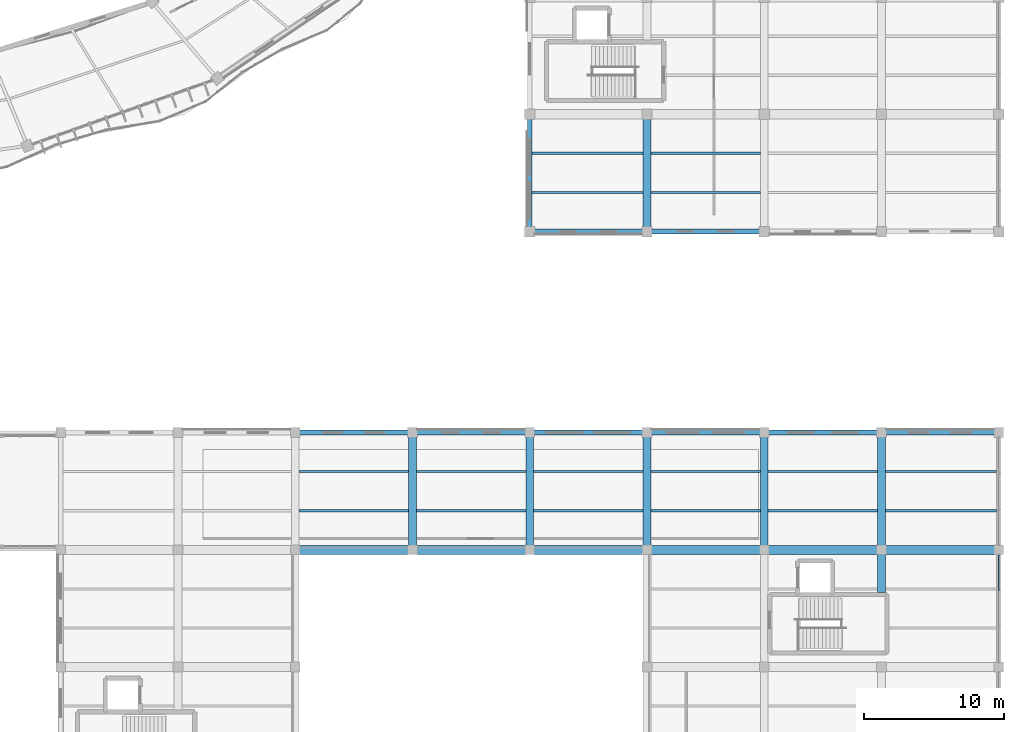
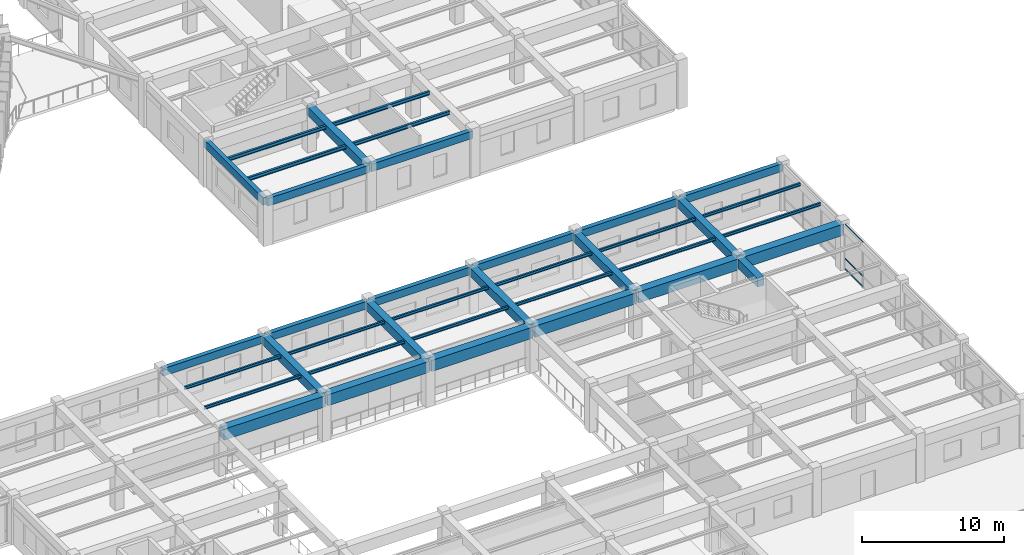
# One storey, part 90 of 152: 38 beams, 3 members, 1 element without a shape of its own.
"""IFC4 building model written with IfcOpenShell, lengths in metres."""

from ifc_helpers import new_model, si_unit, direction, frame, origin, origin_2d, place, context, subcontext, project, spatial, rectangle, hollow_rectangle, i_section, extrude, material, material_profile, profile_set, type_object, element, aggregate, save


model = new_model("IFC4")

# Units and contexts
model_context = context("Model", 3, precision=1e-05, world=origin(), true_north=direction((0.0, 1.0)))
body_context = subcontext(model_context, "Body", "Model", "MODEL_VIEW")
ifc_project = project(units=[si_unit("LENGTHUNIT", "METRE"), si_unit("AREAUNIT", "SQUARE_METRE"), si_unit("VOLUMEUNIT", "CUBIC_METRE"), si_unit("PLANEANGLEUNIT", "RADIAN"), si_unit("MASSUNIT", "GRAM", prefix="KILO"), si_unit("THERMODYNAMICTEMPERATUREUNIT", "KELVIN"), si_unit("POWERUNIT", "WATT")], contexts=[model_context])

# Site, building, storey
site_placement = place(None, origin())
site = spatial("IfcSite", under=ifc_project, at=site_placement, CompositionType="ELEMENT")
building_placement = place(site_placement, origin())
building = spatial("IfcBuilding", under=site, at=building_placement, Name="Darbajah Civic Hall", CompositionType="ELEMENT")
storey_placement = place(building_placement, frame((0.0, 0.0, 5.39990234375)))
storey = spatial("IfcBuildingStorey", under=building, at=storey_placement, Name="L01", CompositionType="ELEMENT", Elevation=5.39990234375)

# Curtain wall, members
ifc_material_1 = material(Name="Anodised Bronze Aluminium and Low-E Glazing", Category="aluminium")
curtain_wall_type = type_object("IfcCurtainWallType", Name="Unitised Curtain Wall CW-52 7700x3900", PredefinedType="USERDEFINED", material=ifc_material_1)
curtain_wall_placement = place(storey_placement, origin())
curtain_wall = element("IfcCurtainWall", 1, at=curtain_wall_placement, inside=storey, type_object=curtain_wall_type, Name="L01 unitised curtain wall CW-V3-L01-S3-B2", ObjectType="UNITISED CURTAIN WALL", PredefinedType="USERDEFINED")
ifc_material_2 = material(Name="Anodised Bronze Aluminium", Category="aluminium")
ifc_material_profile_1 = material_profile(ifc_material_2, hollow_rectangle(XDim=0.06005859375, YDim=0.1201171875, WallThickness=0.003173828125, at=origin_2d()), Name="ALU TRANSOM 60x120")
ifc_profile_set_1 = profile_set([ifc_material_profile_1], Name="Anodised Bronze Aluminium")
member_type = type_object("IfcMemberType", Name="ALU TRANSOM 60x120", PredefinedType="USERDEFINED", material=ifc_profile_set_1)
member_1_placement = place(storey_placement, frame((178.199951171875, 30.7177734375, 0.06005859375), z_axis=(0.0, 1.0, 0.0), x_axis=(-1.0, 0.0, 0.0)))
member_1 = element("IfcMember", 2, at=member_1_placement, type_object=member_type, Name="CW-V3-L01-S3-B2 transom 3.1", ObjectType="TRANSOM", PredefinedType="USERDEFINED", context=body_context, shape_type="SweptSolid", body=[
    extrude(hollow_rectangle(XDim=0.06005859375, YDim=0.1201171875, WallThickness=0.003173828125, at=origin_2d()), origin(), (0.0, 0.0, 1.0), 2.4951171875),
])
member_2_placement = place(storey_placement, frame((178.199951171875, 30.7177734375, 0.9501953125), z_axis=(0.0, 1.0, 0.0), x_axis=(-1.0, 0.0, 0.0)))
member_2 = element("IfcMember", 3, at=member_2_placement, type_object=member_type, Name="CW-V3-L01-S3-B2 transom 3.2", ObjectType="TRANSOM", PredefinedType="USERDEFINED", context=body_context, shape_type="SweptSolid", body=[
    extrude(hollow_rectangle(XDim=0.06005859375, YDim=0.1201171875, WallThickness=0.003173828125, at=origin_2d()), origin(), (0.0, 0.0, 1.0), 2.4951171875),
])
member_3_placement = place(storey_placement, frame((178.199951171875, 30.7177734375, 3.840087890625), z_axis=(0.0, 1.0, 0.0), x_axis=(-1.0, 0.0, 0.0)))
member_3 = element("IfcMember", 4, at=member_3_placement, type_object=member_type, Name="CW-V3-L01-S3-B2 transom 3.3", ObjectType="TRANSOM", PredefinedType="USERDEFINED", context=body_context, shape_type="SweptSolid", body=[
    extrude(hollow_rectangle(XDim=0.06005859375, YDim=0.1201171875, WallThickness=0.003173828125, at=origin_2d()), origin(), (0.0, 0.0, 1.0), 2.4951171875),
])
aggregate(curtain_wall, [member_1, member_2, member_3])

# Beams
ifc_material_3 = material(Name="Concrete C45/55", Category="concrete")
ifc_material_profile_2 = material_profile(ifc_material_3, rectangle(XDim=0.550048828125, YDim=0.75, at=origin_2d()), Name="RC BEAM 550x750")
ifc_profile_set_2 = profile_set([ifc_material_profile_2], Name="Concrete C45/55")
beam_type_1 = type_object("IfcBeamType", Name="RC BEAM 550x750", PredefinedType="BEAM", material=ifc_profile_set_2)
for number, where, z_axis, x_axis, name in (
    (5, (136.199951171875, 33.679931640625, 3.525146484375), (0.0, 1.0, 0.0), (-1.0, 0.0, 0.0), "L01 beam BM-5575"),
    (6, (144.60009765625, 33.679931640625, 3.525146484375), (0.0, 1.0, 0.0), (-1.0, 0.0, 0.0), "L01 beam BM-5575"),
    (7, (153.0, 33.679931640625, 3.525146484375), (0.0, 1.0, 0.0), (-1.0, 0.0, 0.0), "L01 beam BM-5575"),
    (8, (161.39990234375, 33.679931640625, 3.525146484375), (0.0, 1.0, 0.0), (-1.0, 0.0, 0.0), "L01 beam BM-5575"),
):
    element("IfcBeam", number, at=place(storey_placement, frame(where, z_axis=z_axis, x_axis=x_axis)), inside=storey, type_object=beam_type_1, Name=name, PredefinedType="BEAM", context=body_context, shape_type="SweptSolid", body=[
        extrude(rectangle(XDim=0.550048828125, YDim=0.75, at=origin_2d()), origin(), (0.0, 0.0, 1.0), 8.239990234375),
    ])
beam_1_placement = place(storey_placement, frame((169.800048828125, 30.5400390625, 3.525146484375), z_axis=(0.0, 1.0, 0.0), x_axis=(-1.0, 0.0, 0.0)))
element("IfcBeam", 9, at=beam_1_placement, inside=storey, type_object=beam_type_1, Name="L01 beam BM-5575", PredefinedType="BEAM", context=body_context, shape_type="SweptSolid", body=[
    extrude(rectangle(XDim=0.550048828125, YDim=0.75, at=origin_2d()), origin(), (0.0, 0.0, 1.0), 2.97998046875),
])
for number, where, z_axis, x_axis, name in (
    (10, (169.800048828125, 33.679931640625, 3.525146484375), (0.0, 1.0, 0.0), (-1.0, 0.0, 0.0), "L01 beam BM-5575"),
    (11, (153.0, 56.47998046875, 3.485107421875), (0.0, 1.0, 0.0), (-1.0, 0.0, 0.0), "L01 beam BM-5575"),
):
    element("IfcBeam", number, at=place(storey_placement, frame(where, z_axis=z_axis, x_axis=x_axis)), inside=storey, type_object=beam_type_1, Name=name, PredefinedType="BEAM", context=body_context, shape_type="SweptSolid", body=[
        extrude(rectangle(XDim=0.550048828125, YDim=0.75, at=origin_2d()), origin(), (0.0, 0.0, 1.0), 8.239990234375),
    ])
ifc_material_4 = material(Name="Concrete C50/60", Category="concrete")
ifc_material_profile_3 = material_profile(ifc_material_4, rectangle(XDim=0.64990234375, YDim=0.949951171875, at=origin_2d()), Name="RC GIRDER 650x950")
ifc_profile_set_3 = profile_set([ifc_material_profile_3], Name="Concrete C50/60")
beam_type_2 = type_object("IfcBeamType", Name="RC GIRDER 650x950", PredefinedType="BEAM", material=ifc_profile_set_3)
beam_2_placement = place(storey_placement, frame((127.8798828125, 33.60009765625, 3.425048828125), z_axis=(1.0, 0.0, 0.0), x_axis=(0.0, 1.0, 0.0)))
element("IfcBeam", 12, at=beam_2_placement, inside=storey, type_object=beam_type_2, Name="L01 beam BG-6595", PredefinedType="BEAM", context=body_context, shape_type="SweptSolid", body=[
    extrude(rectangle(XDim=0.64990234375, YDim=0.949951171875, at=origin_2d()), origin(), (0.0, 0.0, 1.0), 8.240234375),
])
for number, where, z_axis, x_axis, name in (
    (13, (136.280029296875, 33.60009765625, 3.425048828125), (1.0, 0.0, 0.0), (0.0, 1.0, 0.0), "L01 beam BG-6595"),
    (14, (144.679931640625, 33.60009765625, 3.425048828125), (1.0, 0.0, 0.0), (0.0, 1.0, 0.0), "L01 beam BG-6595"),
    (15, (153.080078125, 33.60009765625, 3.425048828125), (1.0, 0.0, 0.0), (0.0, 1.0, 0.0), "L01 beam BG-6595"),
    (16, (161.47998046875, 33.60009765625, 3.425048828125), (1.0, 0.0, 0.0), (0.0, 1.0, 0.0), "L01 beam BG-6595"),
):
    element("IfcBeam", number, at=place(storey_placement, frame(where, z_axis=z_axis, x_axis=x_axis)), inside=storey, type_object=beam_type_2, Name=name, PredefinedType="BEAM", context=body_context, shape_type="SweptSolid", body=[
        extrude(rectangle(XDim=0.64990234375, YDim=0.949951171875, at=origin_2d()), origin(), (0.0, 0.0, 1.0), 8.239990234375),
    ])
beam_3_placement = place(storey_placement, frame((169.8798828125, 33.60009765625, 3.425048828125), z_axis=(1.0, 0.0, 0.0), x_axis=(0.0, 1.0, 0.0)))
element("IfcBeam", 17, at=beam_3_placement, inside=storey, type_object=beam_type_2, Name="L01 beam BG-6595", PredefinedType="BEAM", context=body_context, shape_type="SweptSolid", body=[
    extrude(rectangle(XDim=0.64990234375, YDim=0.949951171875, at=origin_2d()), origin(), (0.0, 0.0, 1.0), 8.240234375),
])
ifc_material_profile_4 = material_profile(ifc_material_3, rectangle(XDim=0.35009765625, YDim=0.64990234375, at=origin_2d()), Name="RC SPANDREL 350x650")
ifc_profile_set_4 = profile_set([ifc_material_profile_4], Name="Concrete C45/55")
beam_type_3 = type_object("IfcBeamType", Name="RC SPANDREL 350x650", PredefinedType="SPANDREL", material=ifc_profile_set_4)
beam_4_placement = place(storey_placement, frame((127.8798828125, 42.0, 3.5751953125), z_axis=(1.0, 0.0, 0.0), x_axis=(0.0, 1.0, 0.0)))
element("IfcBeam", 18, at=beam_4_placement, inside=storey, type_object=beam_type_3, Name="L01 beam SP-3565", PredefinedType="SPANDREL", context=body_context, shape_type="SweptSolid", body=[
    extrude(rectangle(XDim=0.35009765625, YDim=0.64990234375, at=origin_2d()), origin(), (0.0, 0.0, 1.0), 8.240234375),
])
for number, where, z_axis, x_axis, name in (
    (19, (136.280029296875, 42.0, 3.5751953125), (1.0, 0.0, 0.0), (0.0, 1.0, 0.0), "L01 beam SP-3565"),
    (20, (144.679931640625, 42.0, 3.5751953125), (1.0, 0.0, 0.0), (0.0, 1.0, 0.0), "L01 beam SP-3565"),
    (21, (153.080078125, 42.0, 3.5751953125), (1.0, 0.0, 0.0), (0.0, 1.0, 0.0), "L01 beam SP-3565"),
    (22, (161.47998046875, 42.0, 3.5751953125), (1.0, 0.0, 0.0), (0.0, 1.0, 0.0), "L01 beam SP-3565"),
):
    element("IfcBeam", number, at=place(storey_placement, frame(where, z_axis=z_axis, x_axis=x_axis)), inside=storey, type_object=beam_type_3, Name=name, PredefinedType="SPANDREL", context=body_context, shape_type="SweptSolid", body=[
        extrude(rectangle(XDim=0.35009765625, YDim=0.64990234375, at=origin_2d()), origin(), (0.0, 0.0, 1.0), 8.239990234375),
    ])
beam_5_placement = place(storey_placement, frame((169.8798828125, 42.0, 3.5751953125), z_axis=(1.0, 0.0, 0.0), x_axis=(0.0, 1.0, 0.0)))
element("IfcBeam", 23, at=beam_5_placement, inside=storey, type_object=beam_type_3, Name="L01 beam SP-3565", PredefinedType="SPANDREL", context=body_context, shape_type="SweptSolid", body=[
    extrude(rectangle(XDim=0.35009765625, YDim=0.64990234375, at=origin_2d()), origin(), (0.0, 0.0, 1.0), 8.240234375),
])
for number, where, z_axis, x_axis, name in (
    (24, (144.679931640625, 56.39990234375, 3.53515625), (1.0, 0.0, 0.0), (0.0, 1.0, 0.0), "L01 beam SP-3565"),
    (25, (153.080078125, 56.39990234375, 3.53515625), (1.0, 0.0, 0.0), (0.0, 1.0, 0.0), "L01 beam SP-3565"),
    (26, (144.60009765625, 56.47998046875, 3.53515625), (0.0, 1.0, 0.0), (-1.0, 0.0, 0.0), "L01 beam SP-3565"),
):
    element("IfcBeam", number, at=place(storey_placement, frame(where, z_axis=z_axis, x_axis=x_axis)), inside=storey, type_object=beam_type_3, Name=name, PredefinedType="SPANDREL", context=body_context, shape_type="SweptSolid", body=[
        extrude(rectangle(XDim=0.35009765625, YDim=0.64990234375, at=origin_2d()), origin(), (0.0, 0.0, 1.0), 8.239990234375),
    ])
ifc_material_5 = material(Name="Steel S355JR", Category="steel")
ifc_material_profile_5 = material_profile(ifc_material_5, i_section(OverallWidth=0.146484375, OverallDepth=0.256103515625, WebThickness=0.00634765625, FlangeThickness=0.010986328125, FilletRadius=0.007568359375, at=origin_2d()), Name="UB 254x146x37")
ifc_profile_set_5 = profile_set([ifc_material_profile_5], Name="Steel S355JR")
beam_type_4 = type_object("IfcBeamType", Name="UB 254x146x37", PredefinedType="JOIST", material=ifc_profile_set_5)
for number, where, z_axis, x_axis, name in (
    (27, (128.074951171875, 36.39990234375, 3.772216796875), (1.0, 0.0, 0.0), (0.0, 1.0, 0.0), "L01 beam SJ-254"),
    (28, (128.074951171875, 39.199951171875, 3.772216796875), (1.0, 0.0, 0.0), (0.0, 1.0, 0.0), "L01 beam SJ-254"),
):
    element("IfcBeam", number, at=place(storey_placement, frame(where, z_axis=z_axis, x_axis=x_axis)), inside=storey, type_object=beam_type_4, Name=name, PredefinedType="JOIST", context=body_context, shape_type="SweptSolid", body=[
        extrude(i_section(OverallWidth=0.146484375, OverallDepth=0.256103515625, WebThickness=0.00634765625, FlangeThickness=0.010986328125, FilletRadius=0.007568359375, at=origin_2d()), origin(), (0.0, 0.0, 1.0), 7.85009765625),
    ])
for number, where, z_axis, x_axis, name in (
    (29, (136.47509765625, 36.39990234375, 3.772216796875), (1.0, 0.0, 0.0), (0.0, 1.0, 0.0), "L01 beam SJ-254"),
    (30, (136.47509765625, 39.199951171875, 3.772216796875), (1.0, 0.0, 0.0), (0.0, 1.0, 0.0), "L01 beam SJ-254"),
):
    element("IfcBeam", number, at=place(storey_placement, frame(where, z_axis=z_axis, x_axis=x_axis)), inside=storey, type_object=beam_type_4, Name=name, PredefinedType="JOIST", context=body_context, shape_type="SweptSolid", body=[
        extrude(i_section(OverallWidth=0.146484375, OverallDepth=0.256103515625, WebThickness=0.00634765625, FlangeThickness=0.010986328125, FilletRadius=0.007568359375, at=origin_2d()), origin(), (0.0, 0.0, 1.0), 7.849853515625),
    ])
for number, where, z_axis, x_axis, name in (
    (31, (144.875, 36.39990234375, 3.772216796875), (1.0, 0.0, 0.0), (0.0, 1.0, 0.0), "L01 beam SJ-254"),
    (32, (144.875, 39.199951171875, 3.772216796875), (1.0, 0.0, 0.0), (0.0, 1.0, 0.0), "L01 beam SJ-254"),
    (33, (153.27490234375, 36.39990234375, 3.772216796875), (1.0, 0.0, 0.0), (0.0, 1.0, 0.0), "L01 beam SJ-254"),
    (34, (153.27490234375, 39.199951171875, 3.772216796875), (1.0, 0.0, 0.0), (0.0, 1.0, 0.0), "L01 beam SJ-254"),
):
    element("IfcBeam", number, at=place(storey_placement, frame(where, z_axis=z_axis, x_axis=x_axis)), inside=storey, type_object=beam_type_4, Name=name, PredefinedType="JOIST", context=body_context, shape_type="SweptSolid", body=[
        extrude(i_section(OverallWidth=0.146484375, OverallDepth=0.256103515625, WebThickness=0.00634765625, FlangeThickness=0.010986328125, FilletRadius=0.007568359375, at=origin_2d()), origin(), (0.0, 0.0, 1.0), 7.85009765625),
    ])
for number, where, z_axis, x_axis, name in (
    (35, (161.675048828125, 36.39990234375, 3.772216796875), (1.0, 0.0, 0.0), (0.0, 1.0, 0.0), "L01 beam SJ-254"),
    (36, (161.675048828125, 39.199951171875, 3.772216796875), (1.0, 0.0, 0.0), (0.0, 1.0, 0.0), "L01 beam SJ-254"),
):
    element("IfcBeam", number, at=place(storey_placement, frame(where, z_axis=z_axis, x_axis=x_axis)), inside=storey, type_object=beam_type_4, Name=name, PredefinedType="JOIST", context=body_context, shape_type="SweptSolid", body=[
        extrude(i_section(OverallWidth=0.146484375, OverallDepth=0.256103515625, WebThickness=0.00634765625, FlangeThickness=0.010986328125, FilletRadius=0.007568359375, at=origin_2d()), origin(), (0.0, 0.0, 1.0), 7.849853515625),
    ])
for number, where, z_axis, x_axis, name in (
    (37, (170.074951171875, 36.39990234375, 3.772216796875), (1.0, 0.0, 0.0), (0.0, 1.0, 0.0), "L01 beam SJ-254"),
    (38, (170.074951171875, 39.199951171875, 3.772216796875), (1.0, 0.0, 0.0), (0.0, 1.0, 0.0), "L01 beam SJ-254"),
):
    element("IfcBeam", number, at=place(storey_placement, frame(where, z_axis=z_axis, x_axis=x_axis)), inside=storey, type_object=beam_type_4, Name=name, PredefinedType="JOIST", context=body_context, shape_type="SweptSolid", body=[
        extrude(i_section(OverallWidth=0.146484375, OverallDepth=0.256103515625, WebThickness=0.00634765625, FlangeThickness=0.010986328125, FilletRadius=0.007568359375, at=origin_2d()), origin(), (0.0, 0.0, 1.0), 7.949951171875),
    ])
ifc_material_profile_6 = material_profile(ifc_material_5, i_section(OverallWidth=0.165771484375, OverallDepth=0.306640625, WebThickness=0.006591796875, FlangeThickness=0.01171875, FilletRadius=0.0087890625, at=origin_2d()), Name="UB 305x165x46")
ifc_profile_set_6 = profile_set([ifc_material_profile_6], Name="Steel S355JR")
beam_type_5 = type_object("IfcBeamType", Name="UB 305x165x46", PredefinedType="JOIST", material=ifc_profile_set_6)
for number, where, z_axis, x_axis, name in (
    (39, (144.77490234375, 59.199951171875, 3.706787109375), (1.0, 0.0, 0.0), (0.0, 1.0, 0.0), "L01 beam SJ-305"),
    (40, (144.77490234375, 62.0, 3.706787109375), (1.0, 0.0, 0.0), (0.0, 1.0, 0.0), "L01 beam SJ-305"),
):
    element("IfcBeam", number, at=place(storey_placement, frame(where, z_axis=z_axis, x_axis=x_axis)), inside=storey, type_object=beam_type_5, Name=name, PredefinedType="JOIST", context=body_context, shape_type="SweptSolid", body=[
        extrude(i_section(OverallWidth=0.165771484375, OverallDepth=0.306640625, WebThickness=0.006591796875, FlangeThickness=0.01171875, FilletRadius=0.0087890625, at=origin_2d()), origin(), (0.0, 0.0, 1.0), 7.9501953125),
    ])
for number, where, z_axis, x_axis, name in (
    (41, (153.27490234375, 59.199951171875, 3.706787109375), (1.0, 0.0, 0.0), (0.0, 1.0, 0.0), "L01 beam SJ-305"),
    (42, (153.27490234375, 62.0, 3.706787109375), (1.0, 0.0, 0.0), (0.0, 1.0, 0.0), "L01 beam SJ-305"),
):
    element("IfcBeam", number, at=place(storey_placement, frame(where, z_axis=z_axis, x_axis=x_axis)), inside=storey, type_object=beam_type_5, Name=name, PredefinedType="JOIST", context=body_context, shape_type="SweptSolid", body=[
        extrude(i_section(OverallWidth=0.165771484375, OverallDepth=0.306640625, WebThickness=0.006591796875, FlangeThickness=0.01171875, FilletRadius=0.0087890625, at=origin_2d()), origin(), (0.0, 0.0, 1.0), 7.85009765625),
    ])

save(model, "model.ifc")
